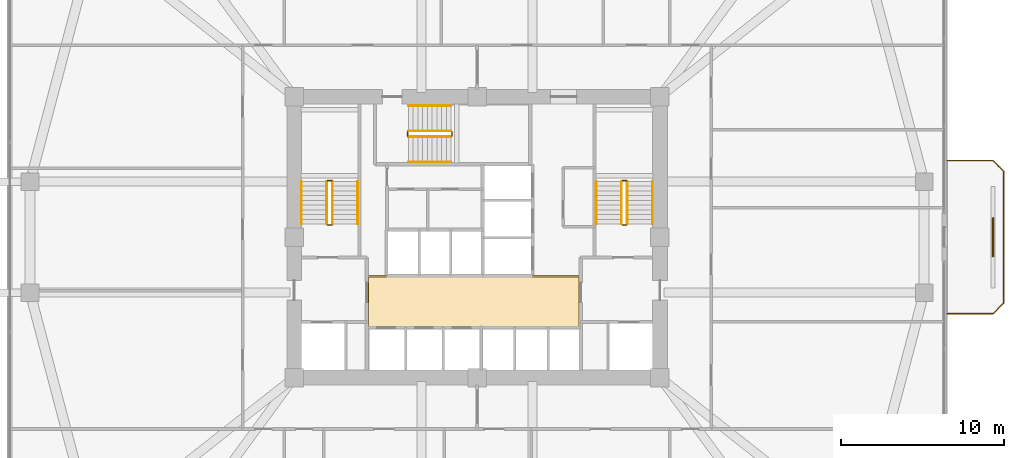
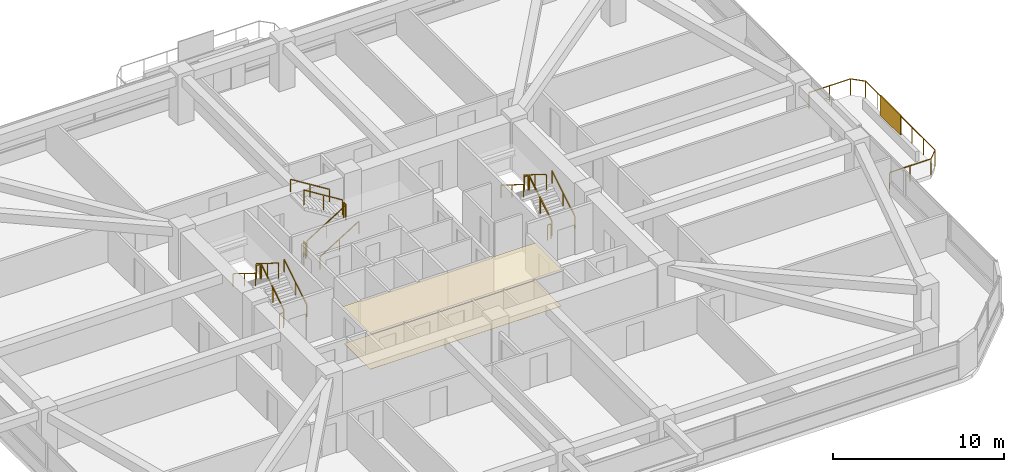
# One storey, part 13 of 14: 19 railings, 2 coverings, 1 shading device.
"""IFC4 building model written with IfcOpenShell, lengths in metres."""

from ifc_helpers import new_model, si_unit, derived_unit, direction, frame, origin, origin_2d, place, context, subcontext, project, spatial, polyline, rectangle, outline, extrude, material, layer, layer_set, type_object, element, save


model = new_model("IFC4")

# Units and contexts
model_context = context("Model", 3, precision=1e-05, world=origin(), true_north=direction((0.0, 1.0)))
body_context = subcontext(model_context, "Body", "Model", "MODEL_VIEW")
ifc_project = project(units=[si_unit("LENGTHUNIT", "METRE"), si_unit("AREAUNIT", "SQUARE_METRE"), si_unit("VOLUMEUNIT", "CUBIC_METRE"), si_unit("PLANEANGLEUNIT", "RADIAN"), si_unit("MASSUNIT", "GRAM", prefix="KILO"), derived_unit("THERMALTRANSMITTANCEUNIT", [(si_unit("POWERUNIT", "WATT"), 1), (si_unit("LENGTHUNIT", "METRE"), -2), (si_unit("THERMODYNAMICTEMPERATUREUNIT", "KELVIN"), -1)])], contexts=[model_context])

# Site, building, storey
site_placement = place(None, origin())
site = spatial("IfcSite", under=ifc_project, at=site_placement, CompositionType="ELEMENT")
building_placement = place(site_placement, origin())
building = spatial("IfcBuilding", under=site, at=building_placement, Name="Koralith Skygarden Medical Center", CompositionType="ELEMENT")
storey_placement = place(building_placement, frame((0.0, 0.0, 31.139892578125)))
storey = spatial("IfcBuildingStorey", under=building, at=storey_placement, Name="L07", CompositionType="ELEMENT", Elevation=31.139892578125)

# Covering
ifc_material_1 = material(Name="Acoustic Mineral Tile")
ifc_layer_1 = layer(ifc_material_1, 0.02001953125)
ifc_layer_set_1 = layer_set([ifc_layer_1], Name="Acoustic Mineral Tile")
covering_type_1 = type_object("IfcCoveringType", Name="Acoustic Hygienic Mineral Ceiling 20", PredefinedType="CEILING", material=ifc_layer_set_1)
covering_1_placement = place(storey_placement, frame((0.0, 0.0, 2.585205078125)))
element("IfcCovering", 1, at=covering_1_placement, inside=storey, type_object=covering_type_1, Name="L07 Core Lobby Acoustic Ceiling", PredefinedType="CEILING", context=body_context, shape_type="SweptSolid", body=[
    extrude(outline(polyline([(30.25, 20.320068359375), (43.35009765625, 20.320068359375), (43.35009765625, 23.56005859375), (30.25, 23.56005859375), (30.25, 20.320068359375)])), origin(), (0.0, 0.0, 1.0), 0.02001953125),
])

# Railing
ifc_material_2 = material(Name="Steel ASTM A500 Grade C", Category="steel")
railing_type_1 = type_object("IfcRailingType", Name="Outdoor Terrace & Balcony Safety Guardrail 1180", PredefinedType="GUARDRAIL", material=ifc_material_2)
railing_1_placement = place(storey_placement, frame((65.800048828125, 21.199951171875, 0.0)))
element("IfcRailing", 2, at=railing_1_placement, inside=storey, type_object=railing_type_1, Name="L07 E Balcony Perimeter Guardrail", PredefinedType="GUARDRAIL", context=body_context, shape_type="SweptSolid", body=[
    extrude(rectangle(XDim=0.050048828125, YDim=0.050048828125, at=origin_2d()), frame((0.001953125, 0.0, 1.15478515625), z_axis=(1.0, 0.0, 0.0), x_axis=(0.0, 1.0, 0.0)), (0.0, 0.0, 1.0), 2.796142578125),
    extrude(rectangle(XDim=0.050048828125, YDim=0.050048828125, at=origin_2d()), frame((2.801513671875, 0.00146484375, 1.15478515625), z_axis=(0.706973978714, 0.707239558722, 0.0), x_axis=(-0.707239558722, 0.706973978714, 0.0)), (0.0, 0.0, 1.0), 0.915283203125),
    extrude(rectangle(XDim=0.050048828125, YDim=0.050048828125, at=origin_2d()), frame((3.449951171875, 0.652099609375, 1.15478515625), z_axis=(0.0, 1.0, 0.0), x_axis=(-1.0, 0.0, 0.0)), (0.0, 0.0, 1.0), 8.095947265625),
    extrude(rectangle(XDim=0.050048828125, YDim=0.050048828125, at=origin_2d()), frame((3.448486328125, 8.75146484375, 1.15478515625), z_axis=(-0.706973978714, 0.707239558722, 0.0), x_axis=(-0.707239558722, -0.706973978714, 0.0)), (0.0, 0.0, 1.0), 0.915283203125),
    extrude(rectangle(XDim=0.050048828125, YDim=0.050048828125, at=origin_2d()), frame((2.798095703125, 9.400146484375, 1.15478515625), z_axis=(-1.0, 0.0, 0.0), x_axis=(0.0, -1.0, 0.0)), (0.0, 0.0, 1.0), 2.796142578125),
    extrude(rectangle(XDim=0.0419921875, YDim=0.0419921875, at=origin_2d()), origin(), (0.0, 0.0, 1.0), 1.1279296875),
    extrude(rectangle(XDim=0.0419921875, YDim=0.0419921875, at=origin_2d()), frame((1.39990234375, 0.0, 0.0)), (0.0, 0.0, 1.0), 1.1279296875),
    extrude(rectangle(XDim=0.0419921875, YDim=0.0419921875, at=origin_2d()), frame((2.800048828125, 0.0, 0.0)), (0.0, 0.0, 1.0), 1.1279296875),
    extrude(rectangle(XDim=0.0419921875, YDim=0.0419921875, at=origin_2d()), frame((3.449951171875, 0.650146484375, 0.0)), (0.0, 0.0, 1.0), 1.1279296875),
    extrude(rectangle(XDim=0.0419921875, YDim=0.0419921875, at=origin_2d()), frame((3.449951171875, 2.0, 0.0)), (0.0, 0.0, 1.0), 1.1279296875),
    extrude(rectangle(XDim=0.0419921875, YDim=0.0419921875, at=origin_2d()), frame((3.449951171875, 3.35009765625, 0.0)), (0.0, 0.0, 1.0), 1.1279296875),
    extrude(rectangle(XDim=0.0419921875, YDim=0.0419921875, at=origin_2d()), frame((3.449951171875, 4.7001953125, 0.0)), (0.0, 0.0, 1.0), 1.1279296875),
    extrude(rectangle(XDim=0.0419921875, YDim=0.0419921875, at=origin_2d()), frame((3.449951171875, 6.050048828125, 0.0)), (0.0, 0.0, 1.0), 1.1279296875),
    extrude(rectangle(XDim=0.0419921875, YDim=0.0419921875, at=origin_2d()), frame((3.449951171875, 7.39990234375, 0.0)), (0.0, 0.0, 1.0), 1.1279296875),
    extrude(rectangle(XDim=0.0419921875, YDim=0.0419921875, at=origin_2d()), frame((3.449951171875, 8.75, 0.0)), (0.0, 0.0, 1.0), 1.1279296875),
    extrude(rectangle(XDim=0.0419921875, YDim=0.0419921875, at=origin_2d()), frame((2.800048828125, 9.400146484375, 0.0)), (0.0, 0.0, 1.0), 1.1279296875),
    extrude(rectangle(XDim=0.0419921875, YDim=0.0419921875, at=origin_2d()), frame((1.39990234375, 9.400146484375, 0.0)), (0.0, 0.0, 1.0), 1.1279296875),
    extrude(rectangle(XDim=0.0419921875, YDim=0.0419921875, at=origin_2d()), frame((0.0, 9.400146484375, 0.0)), (0.0, 0.0, 1.0), 1.1279296875),
])

# Shading device
ifc_material_3 = material(Name="Aluminium 6063-T6", Category="aluminium")
ifc_layer_2 = layer(ifc_material_3, 0.080078125)
ifc_layer_set_2 = layer_set([ifc_layer_2], Name="Aluminium 6063-T6")
shading_device_type = type_object("IfcShadingDeviceType", Name="Perforated Biophilic Balcony Trellis Screen", PredefinedType="USERDEFINED", material=ifc_layer_set_2)
shading_device_placement = place(storey_placement, frame((68.60009765625, 25.89990234375, 0.72021484375), z_axis=(0.0, 0.0, 1.0), x_axis=(0.0, 1.0, 0.0)))
element("IfcShadingDevice", 3, at=shading_device_placement, inside=storey, type_object=shading_device_type, Name="L07 E Biophilic Balcony Trellis Screen", ObjectType="HURRICANE SCREEN", PredefinedType="USERDEFINED", context=body_context, shape_type="SweptSolid", body=[
    extrude(rectangle(XDim=2.39990234375, YDim=0.080078125, at=origin_2d()), origin(), (0.0, 0.0, 1.0), 1.39990234375),
])

# Covering
ifc_material_4 = material(Name="Medical Terrazzo Flooring")
ifc_layer_3 = layer(ifc_material_4, 0.014892578125)
ifc_layer_set_3 = layer_set([ifc_layer_3], Name="Medical Terrazzo Flooring")
covering_type_2 = type_object("IfcCoveringType", Name="Seamless Antimicrobial Terrazzo Flooring 15", PredefinedType="FLOORING", material=ifc_layer_set_3)
covering_2_placement = place(storey_placement, origin())
element("IfcCovering", 4, at=covering_2_placement, inside=storey, type_object=covering_type_2, Name="L07 Core Lobby Terrazzo Flooring", PredefinedType="FLOORING", context=body_context, shape_type="SweptSolid", body=[
    extrude(outline(polyline([(30.35009765625, 20.419921875), (43.25, 20.419921875), (43.25, 23.4599609375), (30.35009765625, 23.4599609375), (30.35009765625, 20.419921875)])), origin(), (0.0, 0.0, 1.0), 0.01513671875),
])

# Railings
railing_type_2 = type_object("IfcRailingType", Name="Stair Flight Tubular Handrail 920", PredefinedType="HANDRAIL", material=ifc_material_2)
railing_2_placement = place(storey_placement, frame((29.699951171875, 26.699951171875, 0.18017578125)))
element("IfcRailing", 5, at=railing_2_placement, inside=storey, type_object=railing_type_2, Name="L07 ST1 stair handrail 1", PredefinedType="HANDRAIL", context=body_context, shape_type="SweptSolid", body=[
    extrude(rectangle(XDim=0.050048828125, YDim=0.050048828125, at=origin_2d()), frame((0.0, 0.001708984375, 0.89599609375), z_axis=(0.0, 0.849668407637, 0.527317358963), x_axis=(-1.0, 0.0, 0.0)), (0.0, 0.0, 1.0), 3.06787109375),
    extrude(rectangle(XDim=0.0419921875, YDim=0.0419921875, at=origin_2d()), origin(), (0.0, 0.0, 1.0), 0.867919921875),
    extrude(rectangle(XDim=0.0419921875, YDim=0.0419921875, at=origin_2d()), frame((0.0, 1.30517578125, 0.81005859375)), (0.0, 0.0, 1.0), 0.867919921875),
    extrude(rectangle(XDim=0.0419921875, YDim=0.0419921875, at=origin_2d()), frame((0.0, 2.610107421875, 1.619873046875)), (0.0, 0.0, 1.0), 0.867919921875),
])
railing_3_placement = place(storey_placement, frame((26.25, 29.31005859375, 1.980224609375)))
element("IfcRailing", 6, at=railing_3_placement, inside=storey, type_object=railing_type_2, Name="L07 ST1 stair handrail 2", PredefinedType="HANDRAIL", context=body_context, shape_type="SweptSolid", body=[
    extrude(rectangle(XDim=0.050048828125, YDim=0.050048828125, at=origin_2d()), frame((0.0, -0.001708984375, 0.89599609375), z_axis=(0.0, -0.849668407637, 0.527317358963), x_axis=(1.0, 0.0, 0.0)), (0.0, 0.0, 1.0), 3.06787109375),
    extrude(rectangle(XDim=0.0419921875, YDim=0.0419921875, at=origin_2d()), origin(), (0.0, 0.0, 1.0), 0.867919921875),
    extrude(rectangle(XDim=0.0419921875, YDim=0.0419921875, at=origin_2d()), frame((0.0, -1.30517578125, 0.81005859375)), (0.0, 0.0, 1.0), 0.867919921875),
    extrude(rectangle(XDim=0.0419921875, YDim=0.0419921875, at=origin_2d()), frame((0.0, -2.610107421875, 1.619873046875)), (0.0, 0.0, 1.0), 0.867919921875),
])
railing_4_placement = place(storey_placement, frame((47.75, 26.699951171875, 0.18017578125)))
element("IfcRailing", 7, at=railing_4_placement, inside=storey, type_object=railing_type_2, Name="L07 ST2 stair handrail 1", PredefinedType="HANDRAIL", context=body_context, shape_type="SweptSolid", body=[
    extrude(rectangle(XDim=0.050048828125, YDim=0.050048828125, at=origin_2d()), frame((0.0, 0.001708984375, 0.89599609375), z_axis=(0.0, 0.849668407637, 0.527317358963), x_axis=(-1.0, 0.0, 0.0)), (0.0, 0.0, 1.0), 3.06787109375),
    extrude(rectangle(XDim=0.0419921875, YDim=0.0419921875, at=origin_2d()), origin(), (0.0, 0.0, 1.0), 0.867919921875),
    extrude(rectangle(XDim=0.0419921875, YDim=0.0419921875, at=origin_2d()), frame((0.0, 1.30517578125, 0.81005859375)), (0.0, 0.0, 1.0), 0.867919921875),
    extrude(rectangle(XDim=0.0419921875, YDim=0.0419921875, at=origin_2d()), frame((0.0, 2.610107421875, 1.619873046875)), (0.0, 0.0, 1.0), 0.867919921875),
])
railing_5_placement = place(storey_placement, frame((44.300048828125, 29.31005859375, 1.980224609375)))
element("IfcRailing", 8, at=railing_5_placement, inside=storey, type_object=railing_type_2, Name="L07 ST2 stair handrail 2", PredefinedType="HANDRAIL", context=body_context, shape_type="SweptSolid", body=[
    extrude(rectangle(XDim=0.050048828125, YDim=0.050048828125, at=origin_2d()), frame((0.0, -0.001708984375, 0.89599609375), z_axis=(0.0, -0.849668407637, 0.527317358963), x_axis=(1.0, 0.0, 0.0)), (0.0, 0.0, 1.0), 3.06787109375),
    extrude(rectangle(XDim=0.0419921875, YDim=0.0419921875, at=origin_2d()), origin(), (0.0, 0.0, 1.0), 0.867919921875),
    extrude(rectangle(XDim=0.0419921875, YDim=0.0419921875, at=origin_2d()), frame((0.0, -1.30517578125, 0.81005859375)), (0.0, 0.0, 1.0), 0.867919921875),
    extrude(rectangle(XDim=0.0419921875, YDim=0.0419921875, at=origin_2d()), frame((0.0, -2.610107421875, 1.619873046875)), (0.0, 0.0, 1.0), 0.867919921875),
])
railing_6_placement = place(storey_placement, frame((32.800048828125, 30.5, 0.18017578125)))
element("IfcRailing", 9, at=railing_6_placement, inside=storey, type_object=railing_type_2, Name="L07 ST3 stair handrail 1", PredefinedType="HANDRAIL", context=body_context, shape_type="SweptSolid", body=[
    extrude(rectangle(XDim=0.050048828125, YDim=0.050048828125, at=origin_2d()), frame((0.001708984375, 0.0, 0.89599609375), z_axis=(0.849646306263, 0.0, 0.527352969322), x_axis=(0.0, 1.0, 0.0)), (0.0, 0.0, 1.0), 3.067626953125),
    extrude(rectangle(XDim=0.0419921875, YDim=0.0419921875, at=origin_2d()), origin(), (0.0, 0.0, 1.0), 0.867919921875),
    extrude(rectangle(XDim=0.0419921875, YDim=0.0419921875, at=origin_2d()), frame((1.304931640625, 0.0, 0.81005859375)), (0.0, 0.0, 1.0), 0.867919921875),
    extrude(rectangle(XDim=0.0419921875, YDim=0.0419921875, at=origin_2d()), frame((2.60986328125, 0.0, 1.619873046875)), (0.0, 0.0, 1.0), 0.867919921875),
])
railing_7_placement = place(storey_placement, frame((35.409912109375, 33.949951171875, 1.980224609375)))
element("IfcRailing", 10, at=railing_7_placement, inside=storey, type_object=railing_type_2, Name="L07 ST3 stair handrail 2", PredefinedType="HANDRAIL", context=body_context, shape_type="SweptSolid", body=[
    extrude(rectangle(XDim=0.050048828125, YDim=0.050048828125, at=origin_2d()), frame((-0.001708984375, 0.0, 0.89599609375), z_axis=(-0.849646306263, 0.0, 0.527352969322), x_axis=(0.0, -1.0, 0.0)), (0.0, 0.0, 1.0), 3.067626953125),
    extrude(rectangle(XDim=0.0419921875, YDim=0.0419921875, at=origin_2d()), origin(), (0.0, 0.0, 1.0), 0.867919921875),
    extrude(rectangle(XDim=0.0419921875, YDim=0.0419921875, at=origin_2d()), frame((-1.304931640625, 0.0, 0.81005859375)), (0.0, 0.0, 1.0), 0.867919921875),
    extrude(rectangle(XDim=0.0419921875, YDim=0.0419921875, at=origin_2d()), frame((-2.60986328125, 0.0, 1.619873046875)), (0.0, 0.0, 1.0), 0.867919921875),
])
railing_type_3 = type_object("IfcRailingType", Name="Stair Well Safety Guardrail 1100", PredefinedType="GUARDRAIL", material=ifc_material_2)
railing_8_placement = place(storey_placement, frame((28.14990234375, 26.699951171875, 0.18017578125)))
element("IfcRailing", 11, at=railing_8_placement, inside=storey, type_object=railing_type_3, Name="L07 ST1 stair guard 1", PredefinedType="GUARDRAIL", context=body_context, shape_type="SweptSolid", body=[
    extrude(rectangle(XDim=0.050048828125, YDim=0.050048828125, at=origin_2d()), frame((0.0, 0.001708984375, 1.076171875), z_axis=(0.0, 0.849668407637, 0.527317358963), x_axis=(-1.0, 0.0, 0.0)), (0.0, 0.0, 1.0), 3.06787109375),
    extrude(rectangle(XDim=0.0419921875, YDim=0.0419921875, at=origin_2d()), origin(), (0.0, 0.0, 1.0), 1.048095703125),
    extrude(rectangle(XDim=0.0419921875, YDim=0.0419921875, at=origin_2d()), frame((0.0, 1.30517578125, 0.81005859375)), (0.0, 0.0, 1.0), 1.048095703125),
    extrude(rectangle(XDim=0.0419921875, YDim=0.0419921875, at=origin_2d()), frame((0.0, 2.610107421875, 1.619873046875)), (0.0, 0.0, 1.0), 1.048095703125),
])
railing_9_placement = place(storey_placement, frame((28.10009765625, 29.360107421875, 1.800048828125)))
element("IfcRailing", 12, at=railing_9_placement, inside=storey, type_object=railing_type_3, Name="L07 ST1 stair guard 2", PredefinedType="GUARDRAIL", context=body_context, shape_type="SweptSolid", body=[
    extrude(rectangle(XDim=0.050048828125, YDim=0.050048828125, at=origin_2d()), frame((-0.001953125, 0.0, 1.0751953125), z_axis=(-1.0, 0.0, 0.0), x_axis=(0.0, -1.0, 0.0)), (0.0, 0.0, 1.0), 0.24609375),
    extrude(rectangle(XDim=0.0419921875, YDim=0.0419921875, at=origin_2d()), origin(), (0.0, 0.0, 1.0), 1.048095703125),
    extrude(rectangle(XDim=0.0419921875, YDim=0.0419921875, at=origin_2d()), frame((-0.25, 0.0, 0.0)), (0.0, 0.0, 1.0), 1.048095703125),
])
railing_10_placement = place(storey_placement, frame((27.800048828125, 29.31005859375, 1.980224609375)))
element("IfcRailing", 13, at=railing_10_placement, inside=storey, type_object=railing_type_3, Name="L07 ST1 stair guard 3", PredefinedType="GUARDRAIL", context=body_context, shape_type="SweptSolid", body=[
    extrude(rectangle(XDim=0.050048828125, YDim=0.050048828125, at=origin_2d()), frame((0.0, -0.001708984375, 1.076171875), z_axis=(0.0, -0.849668407637, 0.527317358963), x_axis=(1.0, 0.0, 0.0)), (0.0, 0.0, 1.0), 3.06787109375),
    extrude(rectangle(XDim=0.0419921875, YDim=0.0419921875, at=origin_2d()), origin(), (0.0, 0.0, 1.0), 1.048095703125),
    extrude(rectangle(XDim=0.0419921875, YDim=0.0419921875, at=origin_2d()), frame((0.0, -1.30517578125, 0.81005859375)), (0.0, 0.0, 1.0), 1.048095703125),
    extrude(rectangle(XDim=0.0419921875, YDim=0.0419921875, at=origin_2d()), frame((0.0, -2.610107421875, 1.619873046875)), (0.0, 0.0, 1.0), 1.048095703125),
])
railing_11_placement = place(storey_placement, frame((28.10009765625, 26.64990234375, 0.0)))
element("IfcRailing", 14, at=railing_11_placement, inside=storey, type_object=railing_type_3, Name="L07 ST1 stair guard 4", PredefinedType="GUARDRAIL", context=body_context, shape_type="SweptSolid", body=[
    extrude(rectangle(XDim=0.050048828125, YDim=0.050048828125, at=origin_2d()), frame((-0.001953125, 0.0, 1.0751953125), z_axis=(-1.0, 0.0, 0.0), x_axis=(0.0, -1.0, 0.0)), (0.0, 0.0, 1.0), 0.24609375),
    extrude(rectangle(XDim=0.0419921875, YDim=0.0419921875, at=origin_2d()), origin(), (0.0, 0.0, 1.0), 1.048095703125),
    extrude(rectangle(XDim=0.0419921875, YDim=0.0419921875, at=origin_2d()), frame((-0.25, 0.0, 0.0)), (0.0, 0.0, 1.0), 1.048095703125),
])
railing_12_placement = place(storey_placement, frame((46.199951171875, 26.699951171875, 0.18017578125)))
element("IfcRailing", 15, at=railing_12_placement, inside=storey, type_object=railing_type_3, Name="L07 ST2 stair guard 1", PredefinedType="GUARDRAIL", context=body_context, shape_type="SweptSolid", body=[
    extrude(rectangle(XDim=0.050048828125, YDim=0.050048828125, at=origin_2d()), frame((0.0, 0.001708984375, 1.076171875), z_axis=(0.0, 0.849668407637, 0.527317358963), x_axis=(-1.0, 0.0, 0.0)), (0.0, 0.0, 1.0), 3.06787109375),
    extrude(rectangle(XDim=0.0419921875, YDim=0.0419921875, at=origin_2d()), origin(), (0.0, 0.0, 1.0), 1.048095703125),
    extrude(rectangle(XDim=0.0419921875, YDim=0.0419921875, at=origin_2d()), frame((0.0, 1.30517578125, 0.81005859375)), (0.0, 0.0, 1.0), 1.048095703125),
    extrude(rectangle(XDim=0.0419921875, YDim=0.0419921875, at=origin_2d()), frame((0.0, 2.610107421875, 1.619873046875)), (0.0, 0.0, 1.0), 1.048095703125),
])
railing_13_placement = place(storey_placement, frame((46.14990234375, 29.360107421875, 1.800048828125)))
element("IfcRailing", 16, at=railing_13_placement, inside=storey, type_object=railing_type_3, Name="L07 ST2 stair guard 2", PredefinedType="GUARDRAIL", context=body_context, shape_type="SweptSolid", body=[
    extrude(rectangle(XDim=0.050048828125, YDim=0.050048828125, at=origin_2d()), frame((-0.001953125, 0.0, 1.0751953125), z_axis=(-1.0, 0.0, 0.0), x_axis=(0.0, -1.0, 0.0)), (0.0, 0.0, 1.0), 0.24609375),
    extrude(rectangle(XDim=0.0419921875, YDim=0.0419921875, at=origin_2d()), origin(), (0.0, 0.0, 1.0), 1.048095703125),
    extrude(rectangle(XDim=0.0419921875, YDim=0.0419921875, at=origin_2d()), frame((-0.25, 0.0, 0.0)), (0.0, 0.0, 1.0), 1.048095703125),
])
railing_14_placement = place(storey_placement, frame((45.85009765625, 29.31005859375, 1.980224609375)))
element("IfcRailing", 17, at=railing_14_placement, inside=storey, type_object=railing_type_3, Name="L07 ST2 stair guard 3", PredefinedType="GUARDRAIL", context=body_context, shape_type="SweptSolid", body=[
    extrude(rectangle(XDim=0.050048828125, YDim=0.050048828125, at=origin_2d()), frame((0.0, -0.001708984375, 1.076171875), z_axis=(0.0, -0.849668407637, 0.527317358963), x_axis=(1.0, 0.0, 0.0)), (0.0, 0.0, 1.0), 3.06787109375),
    extrude(rectangle(XDim=0.0419921875, YDim=0.0419921875, at=origin_2d()), origin(), (0.0, 0.0, 1.0), 1.048095703125),
    extrude(rectangle(XDim=0.0419921875, YDim=0.0419921875, at=origin_2d()), frame((0.0, -1.30517578125, 0.81005859375)), (0.0, 0.0, 1.0), 1.048095703125),
    extrude(rectangle(XDim=0.0419921875, YDim=0.0419921875, at=origin_2d()), frame((0.0, -2.610107421875, 1.619873046875)), (0.0, 0.0, 1.0), 1.048095703125),
])
railing_15_placement = place(storey_placement, frame((46.14990234375, 26.64990234375, 0.0)))
element("IfcRailing", 18, at=railing_15_placement, inside=storey, type_object=railing_type_3, Name="L07 ST2 stair guard 4", PredefinedType="GUARDRAIL", context=body_context, shape_type="SweptSolid", body=[
    extrude(rectangle(XDim=0.050048828125, YDim=0.050048828125, at=origin_2d()), frame((-0.001953125, 0.0, 1.0751953125), z_axis=(-1.0, 0.0, 0.0), x_axis=(0.0, -1.0, 0.0)), (0.0, 0.0, 1.0), 0.24609375),
    extrude(rectangle(XDim=0.0419921875, YDim=0.0419921875, at=origin_2d()), origin(), (0.0, 0.0, 1.0), 1.048095703125),
    extrude(rectangle(XDim=0.0419921875, YDim=0.0419921875, at=origin_2d()), frame((-0.25, 0.0, 0.0)), (0.0, 0.0, 1.0), 1.048095703125),
])
railing_16_placement = place(storey_placement, frame((32.800048828125, 32.050048828125, 0.18017578125)))
element("IfcRailing", 19, at=railing_16_placement, inside=storey, type_object=railing_type_3, Name="L07 ST3 stair guard 1", PredefinedType="GUARDRAIL", context=body_context, shape_type="SweptSolid", body=[
    extrude(rectangle(XDim=0.050048828125, YDim=0.050048828125, at=origin_2d()), frame((0.001708984375, 0.0, 1.076171875), z_axis=(0.849646306263, 0.0, 0.527352969322), x_axis=(0.0, 1.0, 0.0)), (0.0, 0.0, 1.0), 3.067626953125),
    extrude(rectangle(XDim=0.0419921875, YDim=0.0419921875, at=origin_2d()), origin(), (0.0, 0.0, 1.0), 1.048095703125),
    extrude(rectangle(XDim=0.0419921875, YDim=0.0419921875, at=origin_2d()), frame((1.304931640625, 0.0, 0.81005859375)), (0.0, 0.0, 1.0), 1.048095703125),
    extrude(rectangle(XDim=0.0419921875, YDim=0.0419921875, at=origin_2d()), frame((2.60986328125, 0.0, 1.619873046875)), (0.0, 0.0, 1.0), 1.048095703125),
])
railing_17_placement = place(storey_placement, frame((35.4599609375, 32.10009765625, 1.800048828125)))
element("IfcRailing", 20, at=railing_17_placement, inside=storey, type_object=railing_type_3, Name="L07 ST3 stair guard 2", PredefinedType="GUARDRAIL", context=body_context, shape_type="SweptSolid", body=[
    extrude(rectangle(XDim=0.050048828125, YDim=0.050048828125, at=origin_2d()), frame((0.0, 0.001953125, 1.0751953125), z_axis=(0.0, 1.0, 0.0), x_axis=(-1.0, 0.0, 0.0)), (0.0, 0.0, 1.0), 0.24609375),
    extrude(rectangle(XDim=0.0419921875, YDim=0.0419921875, at=origin_2d()), origin(), (0.0, 0.0, 1.0), 1.048095703125),
    extrude(rectangle(XDim=0.0419921875, YDim=0.0419921875, at=origin_2d()), frame((0.0, 0.25, 0.0)), (0.0, 0.0, 1.0), 1.048095703125),
])
railing_18_placement = place(storey_placement, frame((35.409912109375, 32.39990234375, 1.980224609375)))
element("IfcRailing", 21, at=railing_18_placement, inside=storey, type_object=railing_type_3, Name="L07 ST3 stair guard 3", PredefinedType="GUARDRAIL", context=body_context, shape_type="SweptSolid", body=[
    extrude(rectangle(XDim=0.050048828125, YDim=0.050048828125, at=origin_2d()), frame((-0.001708984375, 0.0, 1.076171875), z_axis=(-0.849646306263, 0.0, 0.527352969322), x_axis=(0.0, -1.0, 0.0)), (0.0, 0.0, 1.0), 3.067626953125),
    extrude(rectangle(XDim=0.0419921875, YDim=0.0419921875, at=origin_2d()), origin(), (0.0, 0.0, 1.0), 1.048095703125),
    extrude(rectangle(XDim=0.0419921875, YDim=0.0419921875, at=origin_2d()), frame((-1.304931640625, 0.0, 0.81005859375)), (0.0, 0.0, 1.0), 1.048095703125),
    extrude(rectangle(XDim=0.0419921875, YDim=0.0419921875, at=origin_2d()), frame((-2.60986328125, 0.0, 1.619873046875)), (0.0, 0.0, 1.0), 1.048095703125),
])
railing_19_placement = place(storey_placement, frame((32.75, 32.10009765625, 0.0)))
element("IfcRailing", 22, at=railing_19_placement, inside=storey, type_object=railing_type_3, Name="L07 ST3 stair guard 4", PredefinedType="GUARDRAIL", context=body_context, shape_type="SweptSolid", body=[
    extrude(rectangle(XDim=0.050048828125, YDim=0.050048828125, at=origin_2d()), frame((0.0, 0.001953125, 1.0751953125), z_axis=(0.0, 1.0, 0.0), x_axis=(-1.0, 0.0, 0.0)), (0.0, 0.0, 1.0), 0.24609375),
    extrude(rectangle(XDim=0.0419921875, YDim=0.0419921875, at=origin_2d()), origin(), (0.0, 0.0, 1.0), 1.048095703125),
    extrude(rectangle(XDim=0.0419921875, YDim=0.0419921875, at=origin_2d()), frame((0.0, 0.25, 0.0)), (0.0, 0.0, 1.0), 1.048095703125),
])

save(model, "model.ifc")
